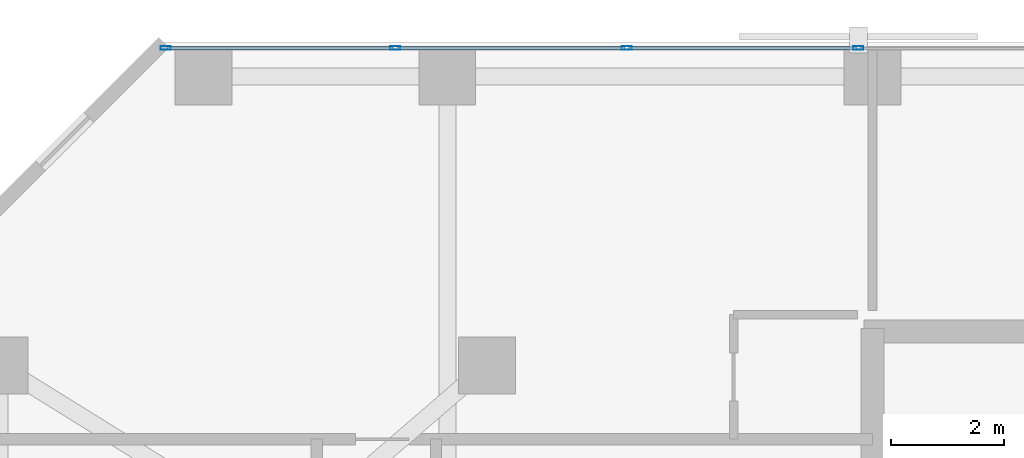
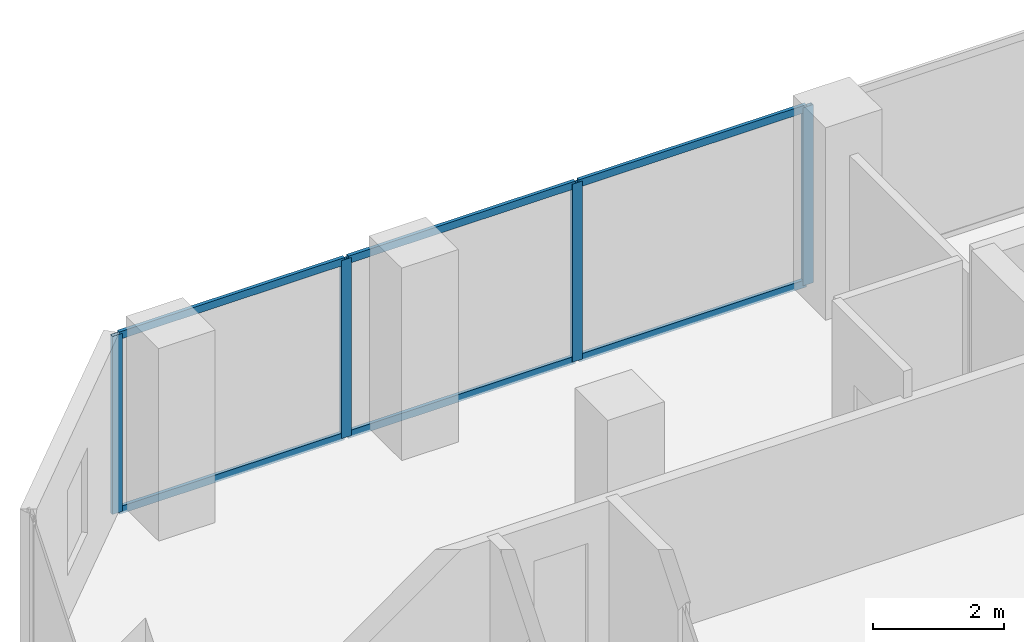
# One storey, part 20 of 31: 10 members, 1 element without a shape of its own.
"""IFC4 building model written with IfcOpenShell, lengths in metres."""

from ifc_helpers import new_model, si_unit, direction, frame, origin, origin_2d, place, context, subcontext, project, spatial, hollow_rectangle, extrude, material, layer, layer_set, material_profile, profile_set, type_object, element, aggregate, save


model = new_model("IFC4")

# Units and contexts
model_context = context("Model", 3, precision=1e-05, world=origin(), true_north=direction((0.0, 1.0)))
body_context = subcontext(model_context, "Body", "Model", "MODEL_VIEW")
ifc_project = project(units=[si_unit("LENGTHUNIT", "METRE"), si_unit("AREAUNIT", "SQUARE_METRE"), si_unit("VOLUMEUNIT", "CUBIC_METRE"), si_unit("PLANEANGLEUNIT", "RADIAN"), si_unit("MASSUNIT", "GRAM", prefix="KILO")], contexts=[model_context])

# Site, building, storey
site_placement = place(None, origin())
site = spatial("IfcSite", under=ifc_project, at=site_placement, CompositionType="ELEMENT")
building_placement = place(site_placement, origin())
building = spatial("IfcBuilding", under=site, at=building_placement, Name="Catumbela Crestline Tower", CompositionType="ELEMENT")
storey_placement = place(building_placement, frame((0.0, 0.0, 36.6)))
storey = spatial("IfcBuildingStorey", under=building, at=storey_placement, Name="L08", CompositionType="ELEMENT", Elevation=36.6)

# Curtain wall, members
ifc_material = material(Name="Aluminium alloy AW-6060-T66", Category="aluminium")
ifc_layer = layer(ifc_material, 0.18, Name="Aluminium alloy AW-6060-T66")
ifc_layer_set = layer_set([ifc_layer], Name="Aluminium alloy AW-6060-T66")
curtain_wall_type = type_object("IfcCurtainWallType", Name="CWU-Z1", PredefinedType="USERDEFINED", material=ifc_layer_set)
curtain_wall_placement = place(storey_placement, origin())
curtain_wall = element("IfcCurtainWall", 1, at=curtain_wall_placement, inside=storey, type_object=curtain_wall_type, Name="L08 Unitised Curtain Wall CW-L08-E7S1", ObjectType="UNITISED", PredefinedType="USERDEFINED")
ifc_material_profile_1 = material_profile(ifc_material, hollow_rectangle(XDim=0.065, YDim=0.18, WallThickness=0.004, at=origin_2d()), Name="ALU 180x65x4")
ifc_profile_set_1 = profile_set([ifc_material_profile_1], Name="Aluminium alloy AW-6060-T66")
member_type_1 = type_object("IfcMemberType", Name="MUL-180X65", PredefinedType="MULLION", material=ifc_profile_set_1)
member_1_placement = place(storey_placement, frame((15.75, 47.9, 0.0), z_axis=(0.0, 0.0, 1.0), x_axis=(0.0, -1.0, 0.0)))
member_1 = element("IfcMember", 2, at=member_1_placement, type_object=member_type_1, Name="CWU-Z1 mullion 10", PredefinedType="MULLION", context=body_context, shape_type="SweptSolid", body=[
    extrude(hollow_rectangle(XDim=0.065, YDim=0.18, WallThickness=0.004, at=origin_2d()), origin(), (0.0, 0.0, 1.0), 3.33),
])
member_2_placement = place(storey_placement, frame((11.6667, 47.9, 0.0), z_axis=(0.0, 0.0, 1.0), x_axis=(0.0, -1.0, 0.0)))
member_2 = element("IfcMember", 3, at=member_2_placement, type_object=member_type_1, Name="CWU-Z1 mullion 11", PredefinedType="MULLION", context=body_context, shape_type="SweptSolid", body=[
    extrude(hollow_rectangle(XDim=0.065, YDim=0.18, WallThickness=0.004, at=origin_2d()), origin(), (0.0, 0.0, 1.0), 3.33),
])
member_3_placement = place(storey_placement, frame((7.5833, 47.9, 0.0), z_axis=(0.0, 0.0, 1.0), x_axis=(0.0, -1.0, 0.0)))
member_3 = element("IfcMember", 4, at=member_3_placement, type_object=member_type_1, Name="CWU-Z1 mullion 12", PredefinedType="MULLION", context=body_context, shape_type="SweptSolid", body=[
    extrude(hollow_rectangle(XDim=0.065, YDim=0.18, WallThickness=0.004, at=origin_2d()), origin(), (0.0, 0.0, 1.0), 3.33),
])
member_4_placement = place(storey_placement, frame((3.5325, 47.9, 0.0), z_axis=(0.0, 0.0, 1.0), x_axis=(0.0, -1.0, 0.0)))
member_4 = element("IfcMember", 5, at=member_4_placement, type_object=member_type_1, Name="CWU-Z1 mullion 13", PredefinedType="MULLION", context=body_context, shape_type="SweptSolid", body=[
    extrude(hollow_rectangle(XDim=0.065, YDim=0.18, WallThickness=0.004, at=origin_2d()), origin(), (0.0, 0.0, 1.0), 3.33),
])
ifc_material_profile_2 = material_profile(ifc_material, hollow_rectangle(XDim=0.06, YDim=0.14, WallThickness=0.004, at=origin_2d()), Name="ALU 140x60x4")
ifc_profile_set_2 = profile_set([ifc_material_profile_2], Name="Aluminium alloy AW-6060-T66")
member_type_2 = type_object("IfcMemberType", Name="TRN-140X60", PredefinedType="USERDEFINED", material=ifc_profile_set_2)
member_5_placement = place(storey_placement, frame((15.7175, 47.9, 0.03), z_axis=(-1.0, 0.0, 0.0), x_axis=(0.0, -1.0, 0.0)))
member_5 = element("IfcMember", 6, at=member_5_placement, type_object=member_type_2, Name="CWU-Z1 transom 10.1", ObjectType="TRANSOM", PredefinedType="USERDEFINED", context=body_context, shape_type="SweptSolid", body=[
    extrude(hollow_rectangle(XDim=0.06, YDim=0.14, WallThickness=0.004, at=origin_2d()), origin(), (0.0, 0.0, 1.0), 4.0183),
])
member_6_placement = place(storey_placement, frame((15.7175, 47.9, 3.3), z_axis=(-1.0, 0.0, 0.0), x_axis=(0.0, -1.0, 0.0)))
member_6 = element("IfcMember", 7, at=member_6_placement, type_object=member_type_2, Name="CWU-Z1 transom 10.2", ObjectType="TRANSOM", PredefinedType="USERDEFINED", context=body_context, shape_type="SweptSolid", body=[
    extrude(hollow_rectangle(XDim=0.06, YDim=0.14, WallThickness=0.004, at=origin_2d()), origin(), (0.0, 0.0, 1.0), 4.0183),
])
member_7_placement = place(storey_placement, frame((11.6342, 47.9, 0.03), z_axis=(-1.0, 0.0, 0.0), x_axis=(0.0, -1.0, 0.0)))
member_7 = element("IfcMember", 8, at=member_7_placement, type_object=member_type_2, Name="CWU-Z1 transom 11.1", ObjectType="TRANSOM", PredefinedType="USERDEFINED", context=body_context, shape_type="SweptSolid", body=[
    extrude(hollow_rectangle(XDim=0.06, YDim=0.14, WallThickness=0.004, at=origin_2d()), origin(), (0.0, 0.0, 1.0), 4.0184),
])
member_8_placement = place(storey_placement, frame((11.6342, 47.9, 3.3), z_axis=(-1.0, 0.0, 0.0), x_axis=(0.0, -1.0, 0.0)))
member_8 = element("IfcMember", 9, at=member_8_placement, type_object=member_type_2, Name="CWU-Z1 transom 11.2", ObjectType="TRANSOM", PredefinedType="USERDEFINED", context=body_context, shape_type="SweptSolid", body=[
    extrude(hollow_rectangle(XDim=0.06, YDim=0.14, WallThickness=0.004, at=origin_2d()), origin(), (0.0, 0.0, 1.0), 4.0184),
])
member_9_placement = place(storey_placement, frame((7.5508, 47.9, 0.03), z_axis=(-1.0, 0.0, 0.0), x_axis=(0.0, -1.0, 0.0)))
member_9 = element("IfcMember", 10, at=member_9_placement, type_object=member_type_2, Name="CWU-Z1 transom 12.1", ObjectType="TRANSOM", PredefinedType="USERDEFINED", context=body_context, shape_type="SweptSolid", body=[
    extrude(hollow_rectangle(XDim=0.06, YDim=0.14, WallThickness=0.004, at=origin_2d()), origin(), (0.0, 0.0, 1.0), 3.9858),
])
member_10_placement = place(storey_placement, frame((7.5508, 47.9, 3.3), z_axis=(-1.0, 0.0, 0.0), x_axis=(0.0, -1.0, 0.0)))
member_10 = element("IfcMember", 11, at=member_10_placement, type_object=member_type_2, Name="CWU-Z1 transom 12.2", ObjectType="TRANSOM", PredefinedType="USERDEFINED", context=body_context, shape_type="SweptSolid", body=[
    extrude(hollow_rectangle(XDim=0.06, YDim=0.14, WallThickness=0.004, at=origin_2d()), origin(), (0.0, 0.0, 1.0), 3.9858),
])
aggregate(curtain_wall, [member_1, member_2, member_3, member_4, member_5, member_6, member_7, member_8, member_9, member_10])

save(model, "model.ifc")
